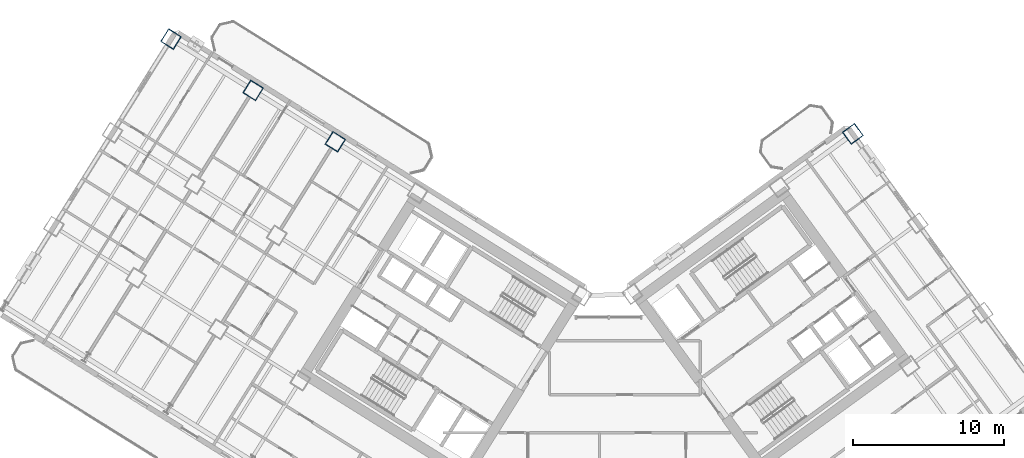
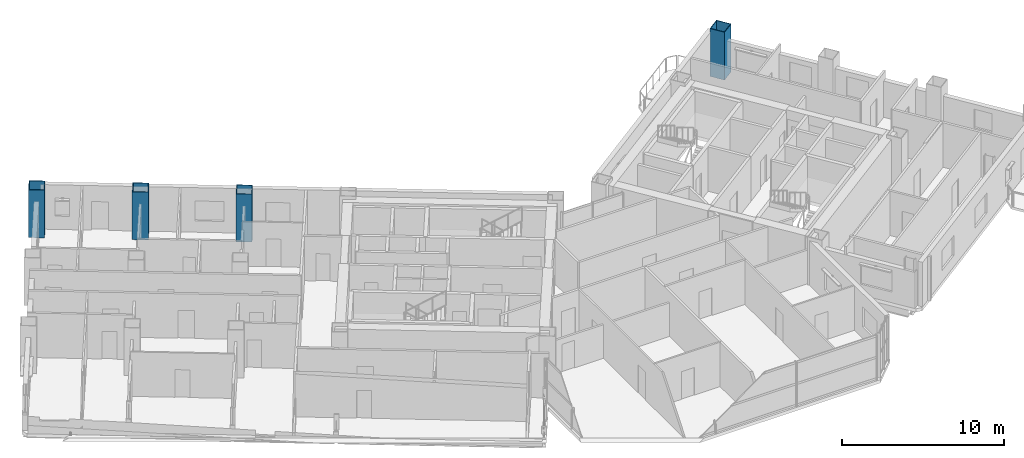
# One storey, part 3 of 25: 4 columns.
"""IFC4 building model written with IfcOpenShell, lengths in metres."""

from ifc_helpers import new_model, si_unit, direction, frame, origin, origin_2d, place, context, subcontext, project, spatial, hollow_rectangle, extrude, source, transform, mapped, material, material_profile, profile_set, type_object, element, save


model = new_model("IFC4")

# Units and contexts
model_context = context("Model", 3, precision=1e-05, world=origin(), true_north=direction((0.0, 1.0)))
body_context = subcontext(model_context, "Body", "Model", "MODEL_VIEW")
ifc_project = project(units=[si_unit("LENGTHUNIT", "METRE"), si_unit("AREAUNIT", "SQUARE_METRE"), si_unit("VOLUMEUNIT", "CUBIC_METRE"), si_unit("PLANEANGLEUNIT", "RADIAN"), si_unit("MASSUNIT", "GRAM", prefix="KILO")], contexts=[model_context])

# Site, building, storey
site_placement = place(None, origin())
site = spatial("IfcSite", under=ifc_project, at=site_placement, CompositionType="ELEMENT")
building_placement = place(site_placement, origin())
building = spatial("IfcBuilding", under=site, at=building_placement, Name="Tlacorven Tower", CompositionType="ELEMENT")
storey_placement = place(building_placement, frame((0.0, 0.0, 52.800048828125)))
storey = spatial("IfcBuildingStorey", under=building, at=storey_placement, Name="L13", CompositionType="ELEMENT", Elevation=52.800048828125)

# Columns
ifc_material = material(Name="Steel S460M", Category="steel")
ifc_material_profile = material_profile(ifc_material, hollow_rectangle(XDim=1.0, YDim=1.0, WallThickness=0.0400390625, at=origin_2d()), Name="BOX 1000X1000X40")
ifc_profile_set = profile_set([ifc_material_profile], Name="Steel S460M")
column_type = type_object("IfcColumnType", Name="COL-TWR-S1", PredefinedType="COLUMN", material=ifc_profile_set)
shared_shape = source(origin(), body_context, "Body", "SweptSolid", [
    extrude(hollow_rectangle(XDim=1.0, YDim=1.0, WallThickness=0.0400390625, at=origin_2d()), origin(), (0.0, 0.0, 1.0), 3.599853515625),
])
for number, where, z_axis, x_axis, name in (
    (1, (24.50048828125, 34.642822265625, 0.0), (0.0, 0.0, 1.0), (-0.848048096156, 0.529919264233, 0.0), "L13 column COL-L13-W4-1"),
    (2, (19.072998046875, 38.034423828125, 0.0), (0.0, 0.0, 1.0), (-0.848048096156, 0.529919264233, 0.0), "L13 column COL-L13-W5-1"),
    (3, (13.6455078125, 41.42578125, 0.0), (0.0, 0.0, 1.0), (-0.848048096156, 0.529919264233, 0.0), "L13 column COL-L13-W6-1"),
    (4, (58.68603515625, 35.165283203125, 0.0), (0.0, 0.0, 1.0), (0.809016994375, 0.587785252292, 0.0), "L13 column COL-L13-E4-4"),
):
    element("IfcColumn", number, at=place(storey_placement, frame(where, z_axis=z_axis, x_axis=x_axis)), inside=storey, type_object=column_type, Name=name, PredefinedType="COLUMN", context=body_context, shape_type="MappedRepresentation", body=[
        mapped(shared_shape, transform((0.0, 0.0, 0.0), scale=1.0)),
    ])

save(model, "model.ifc")
